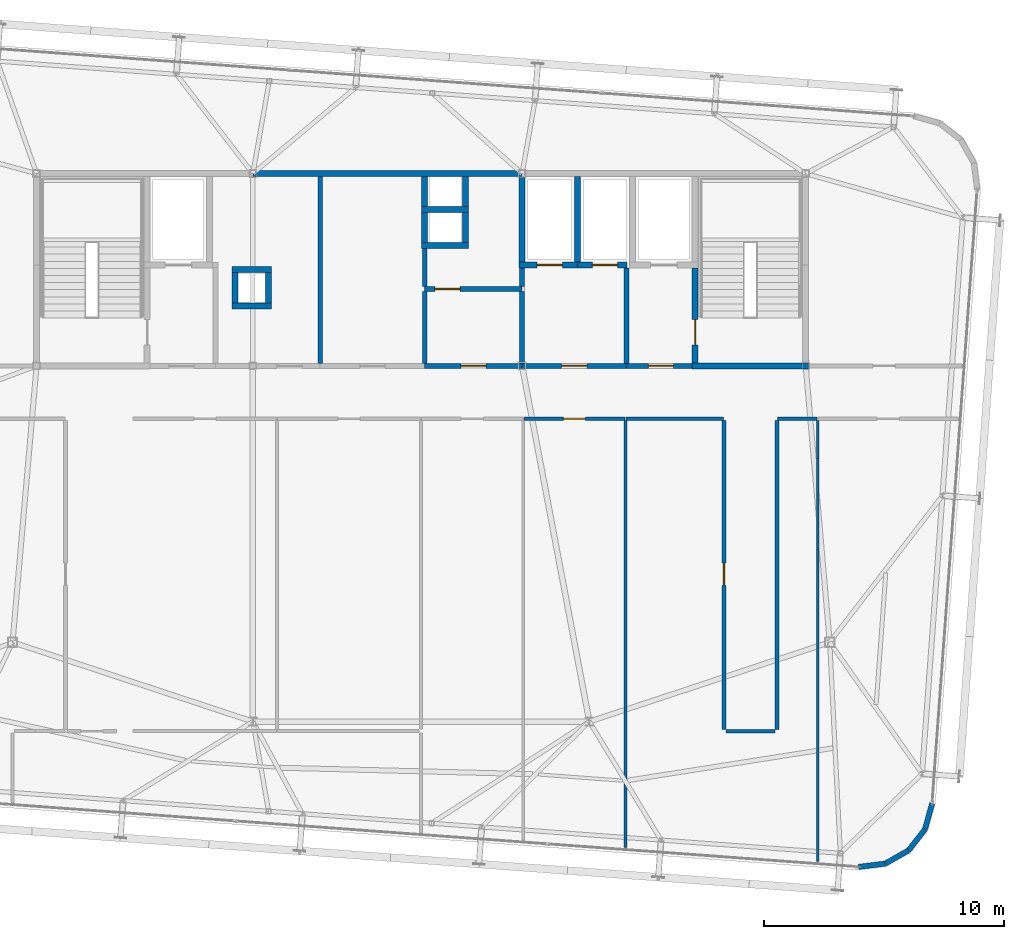
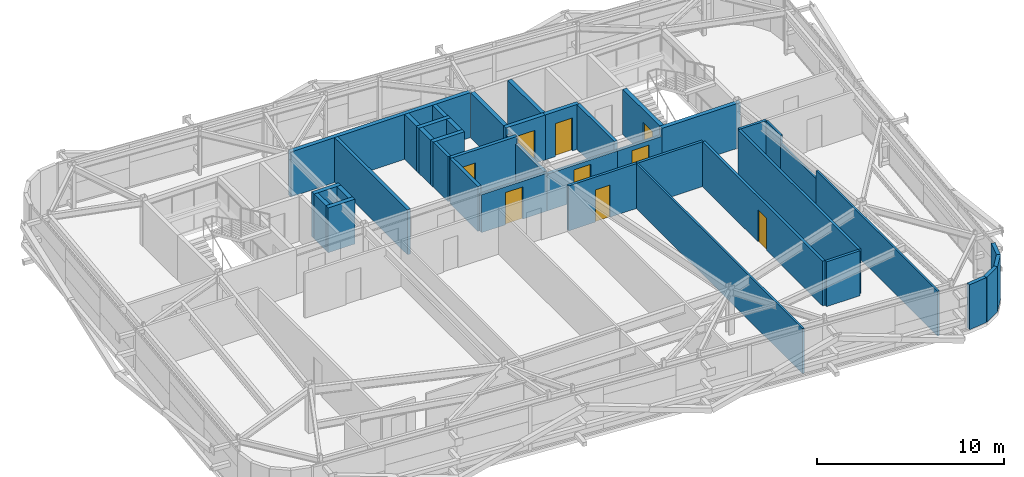
# One storey, part 32 of 34: 41 walls, 9 doors, 9 openings.
"""IFC4 building model written with IfcOpenShell, lengths in metres."""

import ifcopenshell
import ifcopenshell.guid

model = None  # the IFC model being written
_history = None  # IfcOwnerHistory: only IFC2X3 demands one
_inside = {}  # id of a spatial element -> (the spatial element, [elements in it])
_under = {}  # id of a project, library or spatial element -> (it, [spatial elements below it])
_declared = {}  # id of a project -> (the project, [libraries it declares])
_typed = {}  # id of a type object -> (the type object, [elements of that type])
_made_of = {}  # id of a material, layer set ... -> (it, [elements and type objects made of it])


def new_model(schema):
    """Start an empty IFC model of exactly this schema.

    Asked for "IFC4X3", IfcOpenShell would pick the latest addendum, in which some entities
    have other attributes; the version numbers below select the first issue.
    IFC2X3 requires an IfcOwnerHistory on every rooted entity: one is made here for all.
    """
    global model, _history
    if schema == "IFC4X3":
        model = ifcopenshell.file(schema_version=(4, 3, 0, 0))
    else:
        model = ifcopenshell.file(schema=schema)
    _inside.clear()
    _under.clear()
    _declared.clear()
    _typed.clear()
    _made_of.clear()
    _history = None
    if model.schema == "IFC2X3":
        org = make("IfcOrganization", Name="unknown")
        user = make(
            "IfcPersonAndOrganization",
            ThePerson=make("IfcPerson", FamilyName="unknown"),
            TheOrganization=org,
        )
        app = make(
            "IfcApplication",
            ApplicationDeveloper=org,
            Version="unknown",
            ApplicationFullName="unknown",
            ApplicationIdentifier="unknown",
        )
        _history = make(
            "IfcOwnerHistory",
            OwningUser=user,
            OwningApplication=app,
            ChangeAction="ADDED",
            CreationDate=0,
        )
    return model


def make(cls, **values):
    """One entity of the class cls with the attributes given. An attribute that is None is left unset."""
    return model.create_entity(
        cls, **{name: value for name, value in values.items() if value is not None}
    )


def rooted(cls, **values):
    """An entity with a GlobalId (a new one), such as an element, a storey or a relation."""
    return make(cls, GlobalId=ifcopenshell.guid.new(), OwnerHistory=_history, **values)


def si_unit(unit_type, name, prefix=None):
    """IfcSIUnit, for example si_unit("LENGTHUNIT", "METRE", prefix="MILLI")."""
    return make("IfcSIUnit", UnitType=unit_type, Prefix=prefix, Name=name)


def assignment(units):
    """IfcUnitAssignment: the units of a project."""
    return None if units is None else make("IfcUnitAssignment", Units=units)


def point(xyz):
    """IfcCartesianPoint."""
    return None if xyz is None else make("IfcCartesianPoint", Coordinates=xyz)


def direction(xyz):
    """IfcDirection."""
    return None if xyz is None else make("IfcDirection", DirectionRatios=xyz)


def frame(location, z_axis=None, x_axis=None):
    """IfcAxis2Placement3D, a coordinate frame: its origin and axes. An axis left out is left unset."""
    return make(
        "IfcAxis2Placement3D",
        Location=point(location),
        Axis=direction(z_axis),
        RefDirection=direction(x_axis),
    )


def frame_2d(location, x_axis=None):
    """IfcAxis2Placement2D, a coordinate frame in the plane: its origin and x axis."""
    return make(
        "IfcAxis2Placement2D", Location=point(location), RefDirection=direction(x_axis)
    )


def origin():
    """The frame at (0, 0, 0) with its axes left unset."""
    return frame((0.0, 0.0, 0.0))


def place(relative_to, where):
    """IfcLocalPlacement: puts the frame where relative to a parent placement (None: the world)."""
    return make(
        "IfcLocalPlacement", PlacementRelTo=relative_to, RelativePlacement=where
    )


def context(
    kind, dimensions, precision=None, world=None, true_north=None, identifier=None
):
    """IfcGeometricRepresentationContext, for example the 3D "Model" context."""
    return make(
        "IfcGeometricRepresentationContext",
        ContextIdentifier=identifier,
        ContextType=kind,
        CoordinateSpaceDimension=dimensions,
        Precision=precision,
        WorldCoordinateSystem=world,
        TrueNorth=true_north,
    )


def subcontext(parent, identifier, kind, view, scale=None):
    """IfcGeometricRepresentationSubContext, for example "Body" below "Model"."""
    return make(
        "IfcGeometricRepresentationSubContext",
        ContextIdentifier=identifier,
        ContextType=kind,
        ParentContext=parent,
        TargetScale=scale,
        TargetView=view,
    )


def project(units=None, contexts=None):
    """IfcProject with its units and contexts."""
    return rooted(
        "IfcProject",
        Name="project",
        RepresentationContexts=contexts,
        UnitsInContext=assignment(units),
    )


def spatial(cls, under=None, at=None, **own):
    """A site, building, storey or space (cls), placed at a placement, below another one or the project."""
    s = rooted(cls, ObjectPlacement=at, **own)
    if under is not None:
        _under.setdefault(under.id(), (under, []))[1].append(s)
    return s


def profile(cls, at=None, kind="AREA", **sizes):
    """A parametric profile (cls). Its sizes go by their IFC names, for example OverallWidth=200.0."""
    return make(cls, ProfileType=kind, Position=at, **sizes)


def rectangle(**sizes):
    """IfcRectangleProfileDef."""
    return profile("IfcRectangleProfileDef", **sizes)


def extrude(swept, where, along, depth):
    """IfcExtrudedAreaSolid: the profile swept, set in the frame where, extruded along a direction by depth."""
    return make(
        "IfcExtrudedAreaSolid",
        SweptArea=swept,
        Position=where,
        ExtrudedDirection=direction(along),
        Depth=depth,
    )


def shape(context_of_items, identifier, shape_type, items):
    """IfcShapeRepresentation: the items that make up one representation, for example the "Body"."""
    return make(
        "IfcShapeRepresentation",
        ContextOfItems=context_of_items,
        RepresentationIdentifier=identifier,
        RepresentationType=shape_type,
        Items=items,
    )


def source(mapping_origin, context_of_items, identifier, shape_type, items):
    """IfcRepresentationMap: a shape defined once, which mapped items show again and again."""
    return make(
        "IfcRepresentationMap",
        MappingOrigin=mapping_origin,
        MappedRepresentation=shape(context_of_items, identifier, shape_type, items),
    )


def transform(
    local_origin,
    x_axis=None,
    y_axis=None,
    z_axis=None,
    scale=None,
    scale2=None,
    scale3=None,
    uniform=True,
):
    """IfcCartesianTransformationOperator3D, or its non-uniform kind. x_axis, y_axis, z_axis: its Axis1, 2, 3."""
    if uniform:
        return make(
            "IfcCartesianTransformationOperator3D",
            Axis1=direction(x_axis),
            Axis2=direction(y_axis),
            LocalOrigin=point(local_origin),
            Scale=scale,
            Axis3=direction(z_axis),
        )
    return make(
        "IfcCartesianTransformationOperator3DnonUniform",
        Axis1=direction(x_axis),
        Axis2=direction(y_axis),
        LocalOrigin=point(local_origin),
        Scale=scale,
        Axis3=direction(z_axis),
        Scale2=scale2,
        Scale3=scale3,
    )


def mapped(mapping_source, mapping_target):
    """IfcMappedItem: shows the shape of a source again, moved by a transform."""
    return make(
        "IfcMappedItem", MappingSource=mapping_source, MappingTarget=mapping_target
    )


def material(Name=None, Category=None):
    """IfcMaterial."""
    return make("IfcMaterial", Name=Name, Category=Category)


def layer(
    of_material, thickness, ventilated=None, Name=None, Category=None, Priority=None
):
    """IfcMaterialLayer: one layer of a wall or slab, of a material (None: an air gap)."""
    return make(
        "IfcMaterialLayer",
        Material=of_material,
        LayerThickness=thickness,
        IsVentilated=ventilated,
        Name=Name,
        Category=Category,
        Priority=Priority,
    )


def layer_set(layers, Name=None):
    """IfcMaterialLayerSet."""
    return make("IfcMaterialLayerSet", MaterialLayers=layers, LayerSetName=Name)


def made_of(thing, what):
    """Note that an element or type object is made of a material, layer set ...; save() writes the relation."""
    if what is not None:
        _made_of.setdefault(what.id(), (what, []))[1].append(thing)
    return thing


def type_object(cls, material=None, **own):
    """A type object (cls), such as IfcWallType, which elements share."""
    return made_of(rooted(cls, **own), material)


def element(
    cls,
    number,
    at=None,
    inside=None,
    cuts=None,
    type_object=None,
    material=None,
    context=None,
    identifier="Body",
    shape_type=None,
    held_by="IfcProductDefinitionShape",
    body=None,
    shapes=None,
    **own,
):
    """One element of the class cls, such as IfcWall. Its Tag is "e" and its number.

    at: its placement. inside: the storey or other place that contains it. cuts: it is an
    opening in that element (IfcRelVoidsElement). A single representation is given by context,
    identifier, shape_type and body (its items); several are given by shapes. held_by: the class
    of the entity that holds the representations. save() writes the other relations.
    """
    e = rooted(cls, Tag="e%d" % number, ObjectPlacement=at, **own)
    if body is not None:
        shapes = [shape(context, identifier, shape_type, body)]
    if shapes is not None:
        e.Representation = make(held_by, Representations=shapes)
    if inside is not None:
        _inside.setdefault(inside.id(), (inside, []))[1].append(e)
    if cuts is not None:
        rooted(
            "IfcRelVoidsElement", RelatingBuildingElement=cuts, RelatedOpeningElement=e
        )
    if type_object is not None:
        _typed.setdefault(type_object.id(), (type_object, []))[1].append(e)
    return made_of(e, material)


def fill(opening, filler):
    """IfcRelFillsElement: the door or window that sits in an opening."""
    return rooted(
        "IfcRelFillsElement",
        RelatingOpeningElement=opening,
        RelatedBuildingElement=filler,
    )


def aggregate(whole, parts):
    """IfcRelAggregates: a whole, such as a stair, and the parts it consists of."""
    return rooted("IfcRelAggregates", RelatingObject=whole, RelatedObjects=parts)


def save(model, path):
    """Write the relations noted so far, then the file.

    IfcRelAggregates (storeys below a building ...), IfcRelContainedInSpatialStructure (elements
    in a storey), IfcRelDefinesByType, IfcRelAssociatesMaterial and IfcRelDeclares: one each for
    every whole, place, type object, material and project.
    """
    for whole, parts in _under.values():
        aggregate(whole, parts)
    for where, things in _inside.values():
        rooted(
            "IfcRelContainedInSpatialStructure",
            RelatedElements=things,
            RelatingStructure=where,
        )
    for kind, things in _typed.values():
        rooted("IfcRelDefinesByType", RelatedObjects=things, RelatingType=kind)
    for what, things in _made_of.values():
        rooted("IfcRelAssociatesMaterial", RelatedObjects=things, RelatingMaterial=what)
    for by, libraries in _declared.values():
        rooted("IfcRelDeclares", RelatingContext=by, RelatedDefinitions=libraries)
    model.write(path)


model = new_model("IFC4")

# Units and contexts
model_context = context("Model", 3, precision=1e-05, world=origin(), true_north=direction((0.0, 1.0)))
body_context = subcontext(model_context, "Body", "Model", "MODEL_VIEW")
ifc_project = project(units=[si_unit("LENGTHUNIT", "METRE"), si_unit("AREAUNIT", "SQUARE_METRE"), si_unit("VOLUMEUNIT", "CUBIC_METRE"), si_unit("PLANEANGLEUNIT", "RADIAN"), si_unit("MASSUNIT", "GRAM", prefix="KILO")], contexts=[model_context])

# Site, building, storey
site_placement = place(None, origin())
site = spatial("IfcSite", under=ifc_project, at=site_placement, CompositionType="ELEMENT")
building_placement = place(site_placement, origin())
building = spatial("IfcBuilding", under=site, at=building_placement, Name="Taldren Reach Tower", CompositionType="ELEMENT")
storey_placement = place(building_placement, frame((0.0, 0.0, 239.75)))
storey = spatial("IfcBuildingStorey", under=building, at=storey_placement, Name="L73", CompositionType="ELEMENT", Elevation=239.75)

# Walls
ifc_material_1 = material(Name="Pale Champagne Anodised Aluminium Cladding", Category="aluminium")
ifc_layer_1 = layer(ifc_material_1, 0.04, Name="Pale Champagne Anodised Aluminium Cladding", Category="aluminium")
ifc_material_2 = material(Name="Mineral Wool Acoustic Insulation", Category="insulation")
ifc_layer_2 = layer(ifc_material_2, 0.06, Name="Mineral Wool Acoustic Insulation", Category="insulation")
ifc_material_3 = material(Name="Steel Gr 350 (C350L0)", Category="steel")
ifc_layer_3 = layer(ifc_material_3, 0.12, Name="Steel Gr 350 (C350L0)", Category="steel")
ifc_layer_set_1 = layer_set([ifc_layer_1, ifc_layer_2, ifc_layer_3], Name="Pale Champagne Aluminium Cladding and Steel Gr 350 Stud Framing")
wall_type_1 = type_object("IfcWallType", Name="EW-CRN-220", PredefinedType="SOLIDWALL", material=ifc_layer_set_1)
shared_shape_1 = source(origin(), body_context, "Body", "SweptSolid", [
    extrude(rectangle(XDim=1.115966796875, YDim=0.219970703125, at=frame_2d((0.55810546875, 0.0))), origin(), (0.0, 0.0, 1.0), 2.929931640625),
])
for number, where, z_axis, x_axis, name in (
    (1, (53.20068359375, 3.15380859375, 0.0), (0.0, 0.0, 1.0), (0.992438604032, 0.122742076028, 0.0), "Rounded-corner pale-metal facade wall L73-SE1"),
    (2, (55.279052734375, 3.84130859375, 0.0), (0.0, 0.0, 1.0), (0.615015475096, 0.788515038152, 0.0), "Rounded-corner pale-metal facade wall L73-SE3"),
    (3, (55.96533203125, 4.72119140625, 0.0), (0.0, 0.0, 1.0), (0.26624444942, 0.963905541613, 0.0), "Rounded-corner pale-metal facade wall L73-SE4"),
):
    element("IfcWall", number, at=place(storey_placement, frame(where, z_axis=z_axis, x_axis=x_axis)), inside=storey, type_object=wall_type_1, Name=name, PredefinedType="SOLIDWALL", context=body_context, shape_type="MappedRepresentation", body=[
        mapped(shared_shape_1, transform((0.0, 0.0, 0.0), scale=1.0)),
    ])
shared_shape_2 = source(origin(), body_context, "Body", "SweptSolid", [
    extrude(rectangle(XDim=1.1162109375, YDim=0.219970703125, at=frame_2d((0.55810546875, 0.0))), origin(), (0.0, 0.0, 1.0), 2.929931640625),
])
wall_1_placement = place(storey_placement, frame((54.30810546875, 3.290771484375, 0.0), z_axis=(0.0, 0.0, 1.0), x_axis=(0.869893934693, 0.49323882895, 0.0)))
element("IfcWall", 4, at=wall_1_placement, inside=storey, type_object=wall_type_1, Name="Rounded-corner pale-metal facade wall L73-SE2", PredefinedType="SOLIDWALL", context=body_context, shape_type="MappedRepresentation", body=[
    mapped(shared_shape_2, transform((0.0, 0.0, 0.0), scale=1.0)),
])

# Wall, opening, door
ifc_material_4 = material(Name="Concrete S50 (50 MPa)", Category="concrete")
ifc_layer_4 = layer(ifc_material_4, 0.199951171875)
ifc_layer_set_2 = layer_set([ifc_layer_4], Name="Concrete S50 (50 MPa)")
wall_type_2 = type_object("IfcWallType", Name="IW-CORE-200", PredefinedType="SOLIDWALL", material=ifc_layer_set_2)
shared_shape_3 = source(origin(), body_context, "Body", "SweptSolid", [
    extrude(rectangle(XDim=4.35009765625, YDim=0.199951171875, at=frame_2d((2.175048828125, 0.0))), origin(), (0.0, 0.0, 1.0), 2.39697265625),
])
wall_2_placement = place(storey_placement, frame((43.550048828125, 24.0, 0.0), z_axis=(0.0, 0.0, 1.0), x_axis=(-1.0, 0.0, 0.0)))
wall_2 = element("IfcWall", 5, at=wall_2_placement, inside=storey, type_object=wall_type_2, Name="Rear Core Shear Wall W-INT-L73-031", PredefinedType="SOLIDWALL", context=body_context, shape_type="MappedRepresentation", body=[
    mapped(shared_shape_3, transform((0.0, 0.0, 0.0), scale=1.0)),
])
shared_shape_4 = source(origin(), body_context, "Body", "SweptSolid", [
    extrude(rectangle(XDim=1.050048828125, YDim=2.10009765625, at=frame_2d((0.52490234375, 1.050048828125))), frame((0.0, 0.10986328125, 0.0), z_axis=(0.0, -1.0, 0.0), x_axis=(1.0, 0.0, 0.0)), (0.0, 0.0, 1.0), 0.219970703125),
])
opening_1_placement = place(wall_2_placement, frame((1.64990234375, 0.0, 0.0)))
opening_1 = element("IfcOpeningElement", 6, at=opening_1_placement, cuts=wall_2, Name="Opening DF-105", PredefinedType="OPENING", context=body_context, shape_type="MappedRepresentation", body=[
    mapped(shared_shape_4, transform((0.0, 0.0, 0.0), scale=1.0)),
])
ifc_material_5 = material(Name="Fire-Rated Care and Stair Exit Door")
door_type_1 = type_object("IfcDoorType", Name="ID-FIRE-105", OperationType="NOTDEFINED", PredefinedType="DOOR", material=ifc_material_5)
shared_shape_5 = source(origin(), body_context, "Body", "SweptSolid", [
    extrude(rectangle(XDim=1.050048828125, YDim=2.10009765625, at=frame_2d((0.52490234375, 1.050048828125))), frame((0.0, 0.02490234375, 0.0), z_axis=(0.0, -1.0, 0.0), x_axis=(1.0, 0.0, 0.0)), (0.0, 0.0, 1.0), 0.050048828125),
])
door_1_placement = place(opening_1_placement, frame((1.050048828125, 0.0, 0.0), z_axis=(0.0, 0.0, 1.0), x_axis=(-1.0, 0.0, 0.0)))
door_1 = element("IfcDoor", 7, at=door_1_placement, inside=storey, type_object=door_type_1, Name="Interior Door DR-L73-005", OperationType="SINGLE_SWING_LEFT", OverallHeight=2.10009765625, OverallWidth=1.050048828125, PredefinedType="DOOR", context=body_context, shape_type="MappedRepresentation", body=[
    mapped(shared_shape_5, transform((0.0, 0.0, 0.0), scale=1.0)),
])
fill(opening_1, door_1)

# Walls
ifc_material_6 = material(Name="Fire-Rated Acoustic Plasterboard Stud Wall", Category="gypsum")
ifc_layer_5 = layer(ifc_material_6, 0.159912109375)
ifc_layer_set_3 = layer_set([ifc_layer_5], Name="Fire-Rated Acoustic Plasterboard Stud Wall")
wall_type_3 = type_object("IfcWallType", Name="IW-FIRE-160", PredefinedType="PARTITIONING", material=ifc_layer_set_3)
shared_shape_6 = source(origin(), body_context, "Body", "SweptSolid", [
    extrude(rectangle(XDim=2.0400390625, YDim=0.159912109375, at=frame_2d((1.02001953125, 0.0))), origin(), (0.0, 0.0, 1.0), 2.929931640625),
])
wall_3_placement = place(storey_placement, frame((49.719970703125, 8.800048828125, 0.0), z_axis=(0.0, 0.0, 1.0), x_axis=(-1.0, 0.0, 0.0)))
element("IfcWall", 8, at=wall_3_placement, inside=storey, type_object=wall_type_3, Name="Interior Partition Wall W-INT-L73-051", PredefinedType="PARTITIONING", context=body_context, shape_type="MappedRepresentation", body=[
    mapped(shared_shape_6, transform((0.0, 0.0, 0.0), scale=1.0)),
])
shared_shape_7 = source(origin(), body_context, "Body", "SweptSolid", [
    extrude(rectangle(XDim=3.0, YDim=0.199951171875, at=frame_2d((1.5, 0.0))), origin(), (0.0, 0.0, 1.0), 2.469970703125),
])
wall_4_placement = place(storey_placement, frame((39.199951171875, 24.10009765625, 0.0), z_axis=(0.0, 0.0, 1.0), x_axis=(0.0, 1.0, 0.0)))
element("IfcWall", 9, at=wall_4_placement, inside=storey, type_object=wall_type_2, Name="Rear Core Shear Wall W-INT-L73-029", PredefinedType="SOLIDWALL", context=body_context, shape_type="MappedRepresentation", body=[
    mapped(shared_shape_7, transform((0.0, 0.0, 0.0), scale=1.0)),
])
ifc_material_7 = material(Name="Concrete S65 (65 MPa)", Category="concrete")
ifc_layer_6 = layer(ifc_material_7, 0.25)
ifc_layer_set_4 = layer_set([ifc_layer_6], Name="Concrete S65 (65 MPa)")
wall_type_4 = type_object("IfcWallType", Name="IW-CORE-250", PredefinedType="SHEAR", material=ifc_layer_set_4)
shared_shape_8 = source(origin(), body_context, "Body", "SweptSolid", [
    extrude(rectangle(XDim=11.199951171875, YDim=0.25, at=frame_2d((5.60009765625, 0.0))), origin(), (0.0, 0.0, 1.0), 2.929931640625),
])
wall_5_placement = place(storey_placement, frame((28.0, 32.0, 0.0), z_axis=(0.0, 0.0, 1.0), x_axis=(1.0, 0.0, 0.0)))
element("IfcWall", 10, at=wall_5_placement, inside=storey, type_object=wall_type_4, Name="Rear Core Shear Wall W-CORE-L73-NORTH2", PredefinedType="SHEAR", context=body_context, shape_type="MappedRepresentation", body=[
    mapped(shared_shape_8, transform((0.0, 0.0, 0.0), scale=1.0)),
])
shared_shape_9 = source(origin(), body_context, "Body", "SweptSolid", [
    extrude(rectangle(XDim=3.550048828125, YDim=0.25, at=frame_2d((1.77490234375, 0.0))), origin(), (0.0, 0.0, 1.0), 2.929931640625),
])
for number, where, z_axis, x_axis, name in (
    (11, (41.5, 28.324951171875, 0.0), (0.0, 0.0, 1.0), (0.0, 1.0, 0.0), "Rear Core Shear Wall W-INT-L73-025"),
    (12, (39.199951171875, 31.875, 0.0), (0.0, 0.0, 1.0), (0.0, -1.0, 0.0), "Rear Core Shear Wall W-INT-L73-027"),
):
    element("IfcWall", number, at=place(storey_placement, frame(where, z_axis=z_axis, x_axis=x_axis)), inside=storey, type_object=wall_type_4, Name=name, PredefinedType="SHEAR", context=body_context, shape_type="MappedRepresentation", body=[
        mapped(shared_shape_9, transform((0.0, 0.0, 0.0), scale=1.0)),
    ])

# Wall, opening, door
shared_shape_10 = source(origin(), body_context, "Body", "SweptSolid", [
    extrude(rectangle(XDim=3.949951171875, YDim=0.25, at=frame_2d((1.97509765625, 0.0))), origin(), (0.0, 0.0, 1.0), 2.929931640625),
])
wall_6_placement = place(storey_placement, frame((46.39990234375, 28.074951171875, 0.0), z_axis=(0.0, 0.0, 1.0), x_axis=(0.0, -1.0, 0.0)))
wall_6 = element("IfcWall", 13, at=wall_6_placement, inside=storey, type_object=wall_type_4, Name="Rear Core Shear Wall W-INT-L73-009", PredefinedType="SHEAR", context=body_context, shape_type="MappedRepresentation", body=[
    mapped(shared_shape_10, transform((0.0, 0.0, 0.0), scale=1.0)),
])
shared_shape_11 = source(origin(), body_context, "Body", "SweptSolid", [
    extrude(rectangle(XDim=1.050048828125, YDim=2.10009765625, at=frame_2d((0.52490234375, 1.050048828125))), frame((0.0, 0.135009765625, 0.0), z_axis=(0.0, -1.0, 0.0), x_axis=(1.0, 0.0, 0.0)), (0.0, 0.0, 1.0), 0.27001953125),
])
opening_2_placement = place(wall_6_placement, frame((2.14990234375, 0.0, 0.0)))
opening_2 = element("IfcOpeningElement", 14, at=opening_2_placement, cuts=wall_6, Name="Opening DF-105", PredefinedType="OPENING", context=body_context, shape_type="MappedRepresentation", body=[
    mapped(shared_shape_11, transform((0.0, 0.0, 0.0), scale=1.0)),
])
door_2_placement = place(opening_2_placement, origin())
door_2 = element("IfcDoor", 15, at=door_2_placement, inside=storey, type_object=door_type_1, Name="Fire Exit Stair Door DR-L73-003", OperationType="SINGLE_SWING_RIGHT", OverallHeight=2.10009765625, OverallWidth=1.050048828125, PredefinedType="DOOR", context=body_context, shape_type="MappedRepresentation", body=[
    mapped(shared_shape_5, transform((0.0, 0.0, 0.0), scale=1.0)),
])
fill(opening_2, door_2)

# Walls
shared_shape_12 = source(origin(), body_context, "Body", "SweptSolid", [
    extrude(rectangle(XDim=4.85009765625, YDim=0.25, at=frame_2d((2.425048828125, 0.0))), origin(), (0.0, 0.0, 1.0), 2.929931640625),
])
wall_7_placement = place(storey_placement, frame((46.27490234375, 24.0, 0.0), z_axis=(0.0, 0.0, 1.0), x_axis=(1.0, 0.0, 0.0)))
element("IfcWall", 16, at=wall_7_placement, inside=storey, type_object=wall_type_4, Name="Rear Core Shear Wall W-INT-L73-010", PredefinedType="SHEAR", context=body_context, shape_type="MappedRepresentation", body=[
    mapped(shared_shape_12, transform((0.0, 0.0, 0.0), scale=1.0)),
])
shared_shape_13 = source(origin(), body_context, "Body", "SweptSolid", [
    extrude(rectangle(XDim=3.974853515625, YDim=0.199951171875, at=frame_2d((1.9873046875, 0.0))), origin(), (0.0, 0.0, 1.0), 2.929931640625),
])
wall_8_placement = place(storey_placement, frame((43.550048828125, 28.074951171875, 0.0), z_axis=(0.0, 0.0, 1.0), x_axis=(0.0, -1.0, 0.0)))
element("IfcWall", 17, at=wall_8_placement, inside=storey, type_object=wall_type_2, Name="Rear Core Shear Wall W-INT-L73-013", PredefinedType="SOLIDWALL", context=body_context, shape_type="MappedRepresentation", body=[
    mapped(shared_shape_13, transform((0.0, 0.0, 0.0), scale=1.0)),
])

# Wall, opening, door
shared_shape_14 = source(origin(), body_context, "Body", "SweptSolid", [
    extrude(rectangle(XDim=2.724853515625, YDim=0.199951171875, at=frame_2d((1.3623046875, 0.0))), origin(), (0.0, 0.0, 1.0), 2.39697265625),
])
wall_9_placement = place(storey_placement, frame((43.550048828125, 24.0, 0.0), z_axis=(0.0, 0.0, 1.0), x_axis=(1.0, 0.0, 0.0)))
wall_9 = element("IfcWall", 18, at=wall_9_placement, inside=storey, type_object=wall_type_2, Name="Rear Core Shear Wall W-INT-L73-014", PredefinedType="SOLIDWALL", context=body_context, shape_type="MappedRepresentation", body=[
    mapped(shared_shape_14, transform((0.0, 0.0, 0.0), scale=1.0)),
])
opening_3_placement = place(wall_9_placement, frame((0.89990234375, 0.0, 0.0)))
opening_3 = element("IfcOpeningElement", 19, at=opening_3_placement, cuts=wall_9, Name="Opening DF-105", PredefinedType="OPENING", context=body_context, shape_type="MappedRepresentation", body=[
    mapped(shared_shape_4, transform((0.0, 0.0, 0.0), scale=1.0)),
])
door_3_placement = place(opening_3_placement, origin())
door_3 = element("IfcDoor", 20, at=door_3_placement, inside=storey, type_object=door_type_1, Name="Interior Door DR-L73-004", OperationType="SINGLE_SWING_LEFT", OverallHeight=2.10009765625, OverallWidth=1.050048828125, PredefinedType="DOOR", context=body_context, shape_type="MappedRepresentation", body=[
    mapped(shared_shape_5, transform((0.0, 0.0, 0.0), scale=1.0)),
])
fill(opening_3, door_3)

# Walls
shared_shape_15 = source(origin(), body_context, "Body", "SweptSolid", [
    extrude(rectangle(XDim=1.9501953125, YDim=0.25, at=frame_2d((0.97509765625, 0.0))), origin(), (0.0, 0.0, 1.0), 2.929931640625),
])
for number, where, z_axis, x_axis, name in (
    (21, (35.02490234375, 30.5, 0.0), (0.0, 0.0, 1.0), (1.0, 0.0, 0.0), "Rear Core Shear Wall W-INT-L73-015"),
    (22, (35.02490234375, 29.0, 0.0), (0.0, 0.0, 1.0), (1.0, 0.0, 0.0), "Rear Core Shear Wall W-INT-L73-019"),
):
    element("IfcWall", number, at=place(storey_placement, frame(where, z_axis=z_axis, x_axis=x_axis)), inside=storey, type_object=wall_type_4, Name=name, PredefinedType="SHEAR", context=body_context, shape_type="MappedRepresentation", body=[
        mapped(shared_shape_15, transform((0.0, 0.0, 0.0), scale=1.0)),
    ])
shared_shape_16 = source(origin(), body_context, "Body", "SweptSolid", [
    extrude(rectangle(XDim=1.25, YDim=0.25, at=frame_2d((0.625, 0.0))), origin(), (0.0, 0.0, 1.0), 2.929931640625),
])
for number, where, z_axis, x_axis, name in (
    (23, (35.14990234375, 31.875, 0.0), (0.0, 0.0, 1.0), (0.0, -1.0, 0.0), "Rear Core Shear Wall W-INT-L73-016"),
    (24, (36.85009765625, 30.625, 0.0), (0.0, 0.0, 1.0), (0.0, 1.0, 0.0), "Rear Core Shear Wall W-INT-L73-017"),
    (25, (35.14990234375, 30.375, 0.0), (0.0, 0.0, 1.0), (0.0, -1.0, 0.0), "Rear Core Shear Wall W-INT-L73-018"),
    (26, (36.85009765625, 29.125, 0.0), (0.0, 0.0, 1.0), (0.0, 1.0, 0.0), "Rear Core Shear Wall W-INT-L73-020"),
    (27, (28.64990234375, 26.625, 0.0), (0.0, 0.0, 1.0), (0.0, 1.0, 0.0), "Rear Core Shear Wall W-INT-L73-021"),
    (28, (27.25, 27.875, 0.0), (0.0, 0.0, 1.0), (0.0, -1.0, 0.0), "Rear Core Shear Wall W-INT-L73-022"),
):
    element("IfcWall", number, at=place(storey_placement, frame(where, z_axis=z_axis, x_axis=x_axis)), inside=storey, type_object=wall_type_4, Name=name, PredefinedType="SHEAR", context=body_context, shape_type="MappedRepresentation", body=[
        mapped(shared_shape_16, transform((0.0, 0.0, 0.0), scale=1.0)),
    ])
shared_shape_17 = source(origin(), body_context, "Body", "SweptSolid", [
    extrude(rectangle(XDim=1.64990234375, YDim=0.25, at=frame_2d((0.824951171875, 0.0))), origin(), (0.0, 0.0, 1.0), 2.929931640625),
])
for number, where, z_axis, x_axis, name in (
    (29, (28.77490234375, 28.0, 0.0), (0.0, 0.0, 1.0), (-1.0, 0.0, 0.0), "Rear Core Shear Wall W-INT-L73-023"),
    (30, (27.125, 26.5, 0.0), (0.0, 0.0, 1.0), (1.0, 0.0, 0.0), "Rear Core Shear Wall W-INT-L73-024"),
):
    element("IfcWall", number, at=place(storey_placement, frame(where, z_axis=z_axis, x_axis=x_axis)), inside=storey, type_object=wall_type_4, Name=name, PredefinedType="SHEAR", context=body_context, shape_type="MappedRepresentation", body=[
        mapped(shared_shape_17, transform((0.0, 0.0, 0.0), scale=1.0)),
    ])

# Wall, opening, door
shared_shape_18 = source(origin(), body_context, "Body", "SweptSolid", [
    extrude(rectangle(XDim=2.425048828125, YDim=0.25, at=frame_2d((1.21240234375, 0.0))), origin(), (0.0, 0.0, 1.0), 2.929931640625),
])
wall_10_placement = place(storey_placement, frame((39.074951171875, 28.199951171875, 0.0), z_axis=(0.0, 0.0, 1.0), x_axis=(1.0, 0.0, 0.0)))
wall_10 = element("IfcWall", 31, at=wall_10_placement, inside=storey, type_object=wall_type_4, Name="Rear Core Shear Wall W-INT-L73-026", PredefinedType="SHEAR", context=body_context, shape_type="MappedRepresentation", body=[
    mapped(shared_shape_18, transform((0.0, 0.0, 0.0), scale=1.0)),
])
shared_shape_19 = source(origin(), body_context, "Body", "SweptSolid", [
    extrude(rectangle(XDim=1.050048828125, YDim=2.14990234375, at=frame_2d((0.52490234375, 1.074951171875))), frame((0.0, 0.135009765625, 0.0), z_axis=(0.0, -1.0, 0.0), x_axis=(1.0, 0.0, 0.0)), (0.0, 0.0, 1.0), 0.27001953125),
])
opening_4_placement = place(wall_10_placement, frame((0.75, 0.0, 0.0)))
opening_4 = element("IfcOpeningElement", 32, at=opening_4_placement, cuts=wall_10, Name="Opening LD-PH1", PredefinedType="OPENING", context=body_context, shape_type="MappedRepresentation", body=[
    mapped(shared_shape_19, transform((0.0, 0.0, 0.0), scale=1.0)),
])
ifc_material_8 = material(Name="Stainless Steel Gr 316 Passenger Lift Landing Door", Category="steel")
door_type_2 = type_object("IfcDoorType", Name="LD-PAS-105", OperationType="SLIDING_TO_LEFT", PredefinedType="DOOR", material=ifc_material_8)
shared_shape_20 = source(origin(), body_context, "Body", "SweptSolid", [
    extrude(rectangle(XDim=1.050048828125, YDim=2.14990234375, at=frame_2d((0.52490234375, 1.074951171875))), frame((0.0, 0.02490234375, 0.0), z_axis=(0.0, -1.0, 0.0), x_axis=(1.0, 0.0, 0.0)), (0.0, 0.0, 1.0), 0.050048828125),
])
door_4_placement = place(opening_4_placement, origin())
door_4 = element("IfcDoor", 33, at=door_4_placement, inside=storey, type_object=door_type_2, Name="Lift Landing Door LD-PH1-L73", OperationType="SLIDING_TO_LEFT", OverallHeight=2.14990234375, OverallWidth=1.050048828125, PredefinedType="DOOR", context=body_context, shape_type="MappedRepresentation", body=[
    mapped(shared_shape_20, transform((0.0, 0.0, 0.0), scale=1.0)),
])
fill(opening_4, door_4)

shared_shape_21 = source(origin(), body_context, "Body", "SweptSolid", [
    extrude(rectangle(XDim=2.070068359375, YDim=0.25, at=frame_2d((1.03515625, 0.0))), origin(), (0.0, 0.0, 1.0), 2.929931640625),
])
wall_11_placement = place(storey_placement, frame((41.5, 28.199951171875, 0.0), z_axis=(0.0, 0.0, 1.0), x_axis=(1.0, 0.0, 0.0)))
wall_11 = element("IfcWall", 34, at=wall_11_placement, inside=storey, type_object=wall_type_4, Name="Rear Core Shear Wall W-INT-L73-028", PredefinedType="SHEAR", context=body_context, shape_type="MappedRepresentation", body=[
    mapped(shared_shape_21, transform((0.0, 0.0, 0.0), scale=1.0)),
])
opening_5_placement = place(wall_11_placement, frame((0.625, 0.0, 0.0)))
opening_5 = element("IfcOpeningElement", 35, at=opening_5_placement, cuts=wall_11, Name="Opening LD-PH2", PredefinedType="OPENING", context=body_context, shape_type="MappedRepresentation", body=[
    mapped(shared_shape_19, transform((0.0, 0.0, 0.0), scale=1.0)),
])
door_5_placement = place(opening_5_placement, origin())
door_5 = element("IfcDoor", 36, at=door_5_placement, inside=storey, type_object=door_type_2, Name="Lift Landing Door LD-PH2-L73", OperationType="SLIDING_TO_LEFT", OverallHeight=2.14990234375, OverallWidth=1.050048828125, PredefinedType="DOOR", context=body_context, shape_type="MappedRepresentation", body=[
    mapped(shared_shape_20, transform((0.0, 0.0, 0.0), scale=1.0)),
])
fill(opening_5, door_5)

# Walls
shared_shape_22 = source(origin(), body_context, "Body", "SweptSolid", [
    extrude(rectangle(XDim=0.77490234375, YDim=0.199951171875, at=frame_2d((0.387451171875, 0.0))), origin(), (0.0, 0.0, 1.0), 2.469970703125),
])
wall_12_placement = place(storey_placement, frame((39.199951171875, 27.300048828125, 0.0), z_axis=(0.0, 0.0, 1.0), x_axis=(0.0, 1.0, 0.0)))
element("IfcWall", 37, at=wall_12_placement, inside=storey, type_object=wall_type_2, Name="Rear Core Shear Wall W-INT-L73-030", PredefinedType="SOLIDWALL", context=body_context, shape_type="MappedRepresentation", body=[
    mapped(shared_shape_22, transform((0.0, 0.0, 0.0), scale=1.0)),
])
shared_shape_23 = source(origin(), body_context, "Body", "SweptSolid", [
    extrude(rectangle(XDim=7.77490234375, YDim=0.199951171875, at=frame_2d((3.887451171875, 0.0))), origin(), (0.0, 0.0, 1.0), 2.929931640625),
])
wall_13_placement = place(storey_placement, frame((30.800048828125, 31.875, 0.0), z_axis=(0.0, 0.0, 1.0), x_axis=(0.0, -1.0, 0.0)))
element("IfcWall", 38, at=wall_13_placement, inside=storey, type_object=wall_type_2, Name="Rear Core Shear Wall W-INT-L73-032", PredefinedType="SOLIDWALL", context=body_context, shape_type="MappedRepresentation", body=[
    mapped(shared_shape_23, transform((0.0, 0.0, 0.0), scale=1.0)),
])
shared_shape_24 = source(origin(), body_context, "Body", "SweptSolid", [
    extrude(rectangle(XDim=3.0, YDim=0.199951171875, at=frame_2d((1.5, 0.0))), origin(), (0.0, 0.0, 1.0), 2.929931640625),
])
wall_14_placement = place(storey_placement, frame((35.14990234375, 27.10009765625, 0.0), z_axis=(0.0, 0.0, 1.0), x_axis=(0.0, -1.0, 0.0)))
element("IfcWall", 39, at=wall_14_placement, inside=storey, type_object=wall_type_2, Name="Rear Core Shear Wall W-INT-L73-034", PredefinedType="SOLIDWALL", context=body_context, shape_type="MappedRepresentation", body=[
    mapped(shared_shape_24, transform((0.0, 0.0, 0.0), scale=1.0)),
])
shared_shape_25 = source(origin(), body_context, "Body", "SweptSolid", [
    extrude(rectangle(XDim=1.574951171875, YDim=0.199951171875, at=frame_2d((0.78759765625, 0.0))), origin(), (0.0, 0.0, 1.0), 2.929931640625),
])
wall_15_placement = place(storey_placement, frame((35.14990234375, 28.875, 0.0), z_axis=(0.0, 0.0, 1.0), x_axis=(0.0, -1.0, 0.0)))
element("IfcWall", 40, at=wall_15_placement, inside=storey, type_object=wall_type_2, Name="Rear Core Shear Wall W-INT-L73-035", PredefinedType="SOLIDWALL", context=body_context, shape_type="MappedRepresentation", body=[
    mapped(shared_shape_25, transform((0.0, 0.0, 0.0), scale=1.0)),
])

# Wall, opening, door
shared_shape_26 = source(origin(), body_context, "Body", "SweptSolid", [
    extrude(rectangle(XDim=4.050048828125, YDim=0.199951171875, at=frame_2d((2.02490234375, 0.0))), origin(), (0.0, 0.0, 1.0), 2.929931640625),
])
wall_16_placement = place(storey_placement, frame((35.14990234375, 27.199951171875, 0.0), z_axis=(0.0, 0.0, 1.0), x_axis=(1.0, 0.0, 0.0)))
wall_16 = element("IfcWall", 41, at=wall_16_placement, inside=storey, type_object=wall_type_2, Name="Rear Core Shear Wall W-INT-L73-037", PredefinedType="SOLIDWALL", context=body_context, shape_type="MappedRepresentation", body=[
    mapped(shared_shape_26, transform((0.0, 0.0, 0.0), scale=1.0)),
])
opening_6_placement = place(wall_16_placement, frame((0.419921875, 0.0, 0.0)))
opening_6 = element("IfcOpeningElement", 42, at=opening_6_placement, cuts=wall_16, Name="Opening DF-105", PredefinedType="OPENING", context=body_context, shape_type="MappedRepresentation", body=[
    mapped(shared_shape_4, transform((0.0, 0.0, 0.0), scale=1.0)),
])
door_6_placement = place(opening_6_placement, origin())
door_6 = element("IfcDoor", 43, at=door_6_placement, inside=storey, type_object=door_type_1, Name="Interior Door DR-L73-008", OperationType="SINGLE_SWING_LEFT", OverallHeight=2.10009765625, OverallWidth=1.050048828125, PredefinedType="DOOR", context=body_context, shape_type="MappedRepresentation", body=[
    mapped(shared_shape_5, transform((0.0, 0.0, 0.0), scale=1.0)),
])
fill(opening_6, door_6)

shared_shape_27 = source(origin(), body_context, "Body", "SweptSolid", [
    extrude(rectangle(XDim=4.050048828125, YDim=0.199951171875, at=frame_2d((2.02490234375, 0.0))), origin(), (0.0, 0.0, 1.0), 2.469970703125),
])
wall_17_placement = place(storey_placement, frame((39.199951171875, 24.0, 0.0), z_axis=(0.0, 0.0, 1.0), x_axis=(-1.0, 0.0, 0.0)))
wall_17 = element("IfcWall", 44, at=wall_17_placement, inside=storey, type_object=wall_type_2, Name="Rear Core Shear Wall W-INT-L73-038", PredefinedType="SOLIDWALL", context=body_context, shape_type="MappedRepresentation", body=[
    mapped(shared_shape_27, transform((0.0, 0.0, 0.0), scale=1.0)),
])
opening_7_placement = place(wall_17_placement, frame((1.5, 0.0, 0.0)))
opening_7 = element("IfcOpeningElement", 45, at=opening_7_placement, cuts=wall_17, Name="Opening DF-105", PredefinedType="OPENING", context=body_context, shape_type="MappedRepresentation", body=[
    mapped(shared_shape_4, transform((0.0, 0.0, 0.0), scale=1.0)),
])
door_7_placement = place(opening_7_placement, frame((1.050048828125, 0.0, 0.0), z_axis=(0.0, 0.0, 1.0), x_axis=(-1.0, 0.0, 0.0)))
door_7 = element("IfcDoor", 46, at=door_7_placement, inside=storey, type_object=door_type_1, Name="Interior Door DR-L73-009", OperationType="SINGLE_SWING_LEFT", OverallHeight=2.10009765625, OverallWidth=1.050048828125, PredefinedType="DOOR", context=body_context, shape_type="MappedRepresentation", body=[
    mapped(shared_shape_5, transform((0.0, 0.0, 0.0), scale=1.0)),
])
fill(opening_7, door_7)

shared_shape_28 = source(origin(), body_context, "Body", "SweptSolid", [
    extrude(rectangle(XDim=12.840087890625, YDim=0.159912109375, at=frame_2d((6.419921875, 0.0))), origin(), (0.0, 0.0, 1.0), 2.929931640625),
])
wall_18_placement = place(storey_placement, frame((47.60009765625, 8.8798828125, 0.0), z_axis=(0.0, 0.0, 1.0), x_axis=(0.0, 1.0, 0.0)))
wall_18 = element("IfcWall", 47, at=wall_18_placement, inside=storey, type_object=wall_type_3, Name="Interior Partition Wall W-INT-L73-048", PredefinedType="PARTITIONING", context=body_context, shape_type="MappedRepresentation", body=[
    mapped(shared_shape_28, transform((0.0, 0.0, 0.0), scale=1.0)),
])
shared_shape_29 = source(origin(), body_context, "Body", "SweptSolid", [
    extrude(rectangle(XDim=0.919921875, YDim=2.10009765625, at=frame_2d((0.4599609375, 1.050048828125))), frame((0.0, 0.08984375, 0.0), z_axis=(0.0, -1.0, 0.0), x_axis=(1.0, 0.0, 0.0)), (0.0, 0.0, 1.0), 0.179931640625),
])
opening_8_placement = place(wall_18_placement, frame((5.989990234375, 0.0, 0.0)))
opening_8 = element("IfcOpeningElement", 48, at=opening_8_placement, cuts=wall_18, Name="Opening DI-092", PredefinedType="OPENING", context=body_context, shape_type="MappedRepresentation", body=[
    mapped(shared_shape_29, transform((0.0, 0.0, 0.0), scale=1.0)),
])
ifc_material_9 = material(Name="Solid-Core Timber Suite Door", Category="wood")
door_type_3 = type_object("IfcDoorType", Name="ID-INT-092", OperationType="NOTDEFINED", PredefinedType="DOOR", material=ifc_material_9)
shared_shape_30 = source(origin(), body_context, "Body", "SweptSolid", [
    extrude(rectangle(XDim=0.919921875, YDim=2.10009765625, at=frame_2d((0.4599609375, 1.050048828125))), frame((0.0, 0.02490234375, 0.0), z_axis=(0.0, -1.0, 0.0), x_axis=(1.0, 0.0, 0.0)), (0.0, 0.0, 1.0), 0.050048828125),
])
door_8_placement = place(opening_8_placement, origin())
door_8 = element("IfcDoor", 49, at=door_8_placement, inside=storey, type_object=door_type_3, Name="Interior Door DR-L73-018", OperationType="SINGLE_SWING_LEFT", OverallHeight=2.10009765625, OverallWidth=0.919921875, PredefinedType="DOOR", context=body_context, shape_type="MappedRepresentation", body=[
    mapped(shared_shape_30, transform((0.0, 0.0, 0.0), scale=1.0)),
])
fill(opening_8, door_8)

# Wall
wall_19_placement = place(storey_placement, frame((49.800048828125, 21.719970703125, 0.0), z_axis=(0.0, 0.0, 1.0), x_axis=(0.0, -1.0, 0.0)))
element("IfcWall", 50, at=wall_19_placement, inside=storey, type_object=wall_type_3, Name="Interior Partition Wall W-INT-L73-049", PredefinedType="PARTITIONING", context=body_context, shape_type="MappedRepresentation", body=[
    mapped(shared_shape_28, transform((0.0, 0.0, 0.0), scale=1.0)),
])

# Wall, opening, door
shared_shape_31 = source(origin(), body_context, "Body", "SweptSolid", [
    extrude(rectangle(XDim=4.20947265625, YDim=0.159912109375, at=frame_2d((2.104736328125, 0.0))), origin(), (0.0, 0.0, 1.0), 2.929931640625),
])
wall_20_placement = place(storey_placement, frame((43.479736328125, 21.800048828125, 0.0), z_axis=(0.0, 0.0, 1.0), x_axis=(-1.0, 0.0, 0.0)))
wall_20 = element("IfcWall", 51, at=wall_20_placement, inside=storey, type_object=wall_type_3, Name="Interior Partition Wall W-INT-L73-047", PredefinedType="PARTITIONING", context=body_context, shape_type="MappedRepresentation", body=[
    mapped(shared_shape_31, transform((0.0, 0.0, 0.0), scale=1.0)),
])
opening_9_placement = place(wall_20_placement, frame((1.644775390625, 0.0, 0.0)))
opening_9 = element("IfcOpeningElement", 52, at=opening_9_placement, cuts=wall_20, Name="Opening DI-092", PredefinedType="OPENING", context=body_context, shape_type="MappedRepresentation", body=[
    mapped(shared_shape_29, transform((0.0, 0.0, 0.0), scale=1.0)),
])
door_9_placement = place(opening_9_placement, origin())
door_9 = element("IfcDoor", 53, at=door_9_placement, inside=storey, type_object=door_type_3, Name="Interior Door DR-L73-017", OperationType="SINGLE_SWING_RIGHT", OverallHeight=2.10009765625, OverallWidth=0.919921875, PredefinedType="DOOR", context=body_context, shape_type="MappedRepresentation", body=[
    mapped(shared_shape_30, transform((0.0, 0.0, 0.0), scale=1.0)),
])
fill(opening_9, door_9)

# Walls
shared_shape_32 = source(origin(), body_context, "Body", "SweptSolid", [
    extrude(rectangle(XDim=4.0595703125, YDim=0.159912109375, at=frame_2d((2.02978515625, 0.0))), origin(), (0.0, 0.0, 1.0), 2.929931640625),
])
wall_21_placement = place(storey_placement, frame((47.579833984375, 21.800048828125, 0.0), z_axis=(0.0, 0.0, 1.0), x_axis=(-1.0, 0.0, 0.0)))
element("IfcWall", 54, at=wall_21_placement, inside=storey, type_object=wall_type_3, Name="Interior Partition Wall W-INT-L73-050", PredefinedType="PARTITIONING", context=body_context, shape_type="MappedRepresentation", body=[
    mapped(shared_shape_32, transform((0.0, 0.0, 0.0), scale=1.0)),
])
shared_shape_33 = source(origin(), body_context, "Body", "SweptSolid", [
    extrude(rectangle(XDim=1.659423828125, YDim=0.159912109375, at=frame_2d((0.82958984375, 0.0))), origin(), (0.0, 0.0, 1.0), 2.929931640625),
])
wall_22_placement = place(storey_placement, frame((51.479736328125, 21.800048828125, 0.0), z_axis=(0.0, 0.0, 1.0), x_axis=(-1.0, 0.0, 0.0)))
element("IfcWall", 55, at=wall_22_placement, inside=storey, type_object=wall_type_3, Name="Interior Partition Wall W-INT-L73-052", PredefinedType="PARTITIONING", context=body_context, shape_type="MappedRepresentation", body=[
    mapped(shared_shape_33, transform((0.0, 0.0, 0.0), scale=1.0)),
])
ifc_material_10 = material(Name="Insulated Residential Stud Partition", Category="gypsum")
ifc_layer_7 = layer(ifc_material_10, 0.1201171875)
ifc_layer_set_5 = layer_set([ifc_layer_7], Name="Insulated Residential Stud Partition")
wall_type_5 = type_object("IfcWallType", Name="IW-PART-120", PredefinedType="PARTITIONING", material=ifc_layer_set_5)
shared_shape_34 = source(origin(), body_context, "Body", "SweptSolid", [
    extrude(rectangle(XDim=17.753662109375, YDim=0.1201171875, at=frame_2d((8.876953125, 0.0))), origin(), (0.0, 0.0, 1.0), 2.929931640625),
])
wall_23_placement = place(storey_placement, frame((43.5, 21.718017578125, 0.0), z_axis=(0.0, 0.0, 1.0), x_axis=(0.0, -1.0, 0.0)))
element("IfcWall", 56, at=wall_23_placement, inside=storey, type_object=wall_type_5, Name="Interior Partition Wall W-INT-L73-062", PredefinedType="PARTITIONING", context=body_context, shape_type="MappedRepresentation", body=[
    mapped(shared_shape_34, transform((0.0, 0.0, 0.0), scale=1.0)),
])
shared_shape_35 = source(origin(), body_context, "Body", "SweptSolid", [
    extrude(rectangle(XDim=1.57373046875, YDim=0.1201171875, at=frame_2d((0.786865234375, 0.0))), origin(), (0.0, 0.0, 1.0), 2.929931640625),
])
wall_24_placement = place(storey_placement, frame((51.5, 21.719970703125, 0.0), z_axis=(0.0, 0.0, 1.0), x_axis=(0.0, -1.0, 0.0)))
element("IfcWall", 57, at=wall_24_placement, inside=storey, type_object=wall_type_5, Name="Interior Partition Wall W-INT-L73-063", PredefinedType="PARTITIONING", context=body_context, shape_type="MappedRepresentation", body=[
    mapped(shared_shape_35, transform((0.0, 0.0, 0.0), scale=1.0)),
])
shared_shape_36 = source(origin(), body_context, "Body", "SweptSolid", [
    extrude(rectangle(XDim=3.79248046875, YDim=0.1201171875, at=frame_2d((1.896240234375, 0.0))), origin(), (0.0, 0.0, 1.0), 2.39697265625),
])
wall_25_placement = place(storey_placement, frame((51.5, 20.146240234375, 0.0), z_axis=(0.0, 0.0, 1.0), x_axis=(0.0, -1.0, 0.0)))
element("IfcWall", 58, at=wall_25_placement, inside=storey, type_object=wall_type_5, Name="Interior Partition Wall W-INT-L73-063 part 2", PredefinedType="PARTITIONING", context=body_context, shape_type="MappedRepresentation", body=[
    mapped(shared_shape_36, transform((0.0, 0.0, 0.0), scale=1.0)),
])
shared_shape_37 = source(origin(), body_context, "Body", "SweptSolid", [
    extrude(rectangle(XDim=12.978759765625, YDim=0.1201171875, at=frame_2d((6.4892578125, 0.0))), origin(), (0.0, 0.0, 1.0), 2.929931640625),
])
wall_26_placement = place(storey_placement, frame((51.5, 16.353759765625, 0.0), z_axis=(0.0, 0.0, 1.0), x_axis=(0.0, -1.0, 0.0)))
element("IfcWall", 59, at=wall_26_placement, inside=storey, type_object=wall_type_5, Name="Interior Partition Wall W-INT-L73-063 part 3", PredefinedType="PARTITIONING", context=body_context, shape_type="MappedRepresentation", body=[
    mapped(shared_shape_37, transform((0.0, 0.0, 0.0), scale=1.0)),
])

save(model, "model.ifc")
